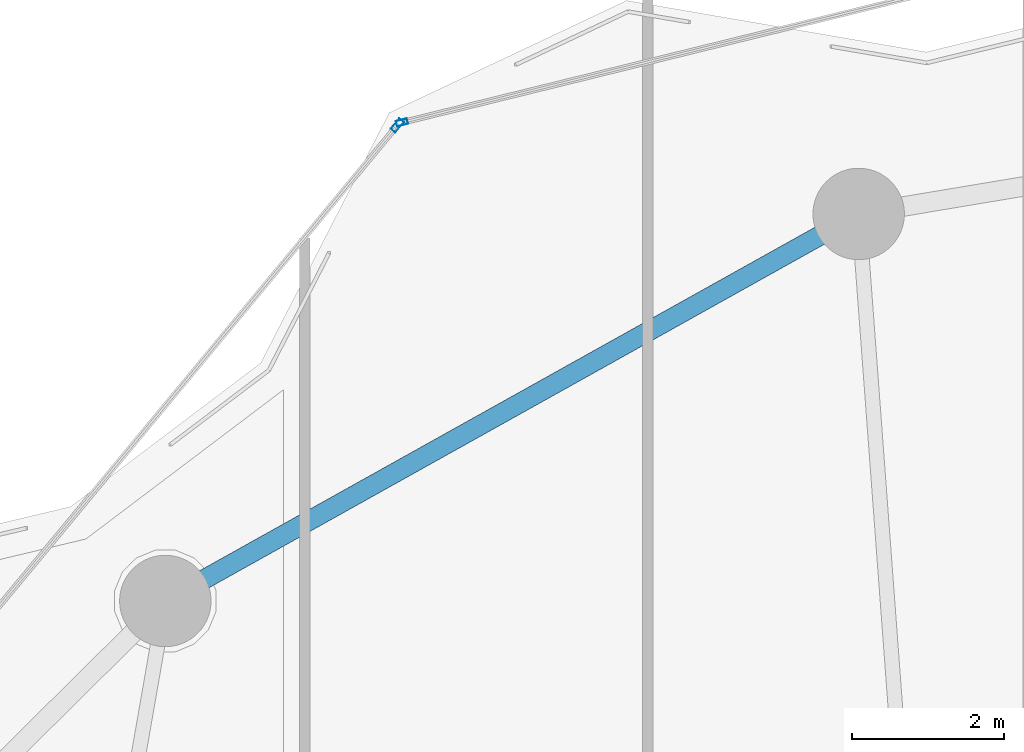
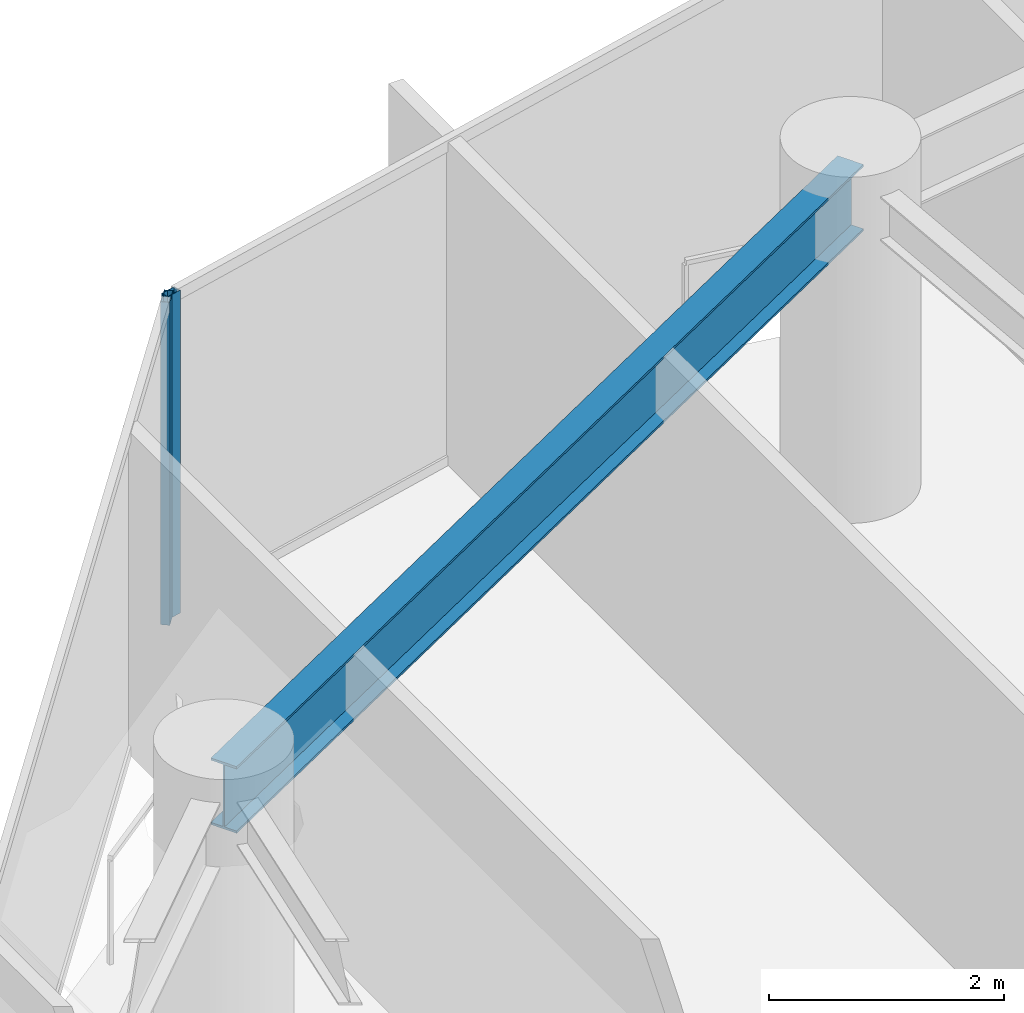
# One storey, part 17 of 28: 2 members, 1 beam, 2 elements without a shape of their own.
"""IFC4 building model written with IfcOpenShell, lengths in metres."""

from ifc_helpers import new_model, si_unit, direction, frame, origin, origin_2d, place, context, subcontext, project, spatial, hollow_rectangle, i_section, extrude, material, layer, layer_set, material_profile, profile_set, type_object, element, aggregate, save


model = new_model("IFC4")

# Units and contexts
model_context = context("Model", 3, precision=1e-05, world=origin(), true_north=direction((0.0, 1.0)))
body_context = subcontext(model_context, "Body", "Model", "MODEL_VIEW")
ifc_project = project(units=[si_unit("LENGTHUNIT", "METRE"), si_unit("AREAUNIT", "SQUARE_METRE"), si_unit("VOLUMEUNIT", "CUBIC_METRE"), si_unit("PLANEANGLEUNIT", "RADIAN"), si_unit("MASSUNIT", "GRAM", prefix="KILO")], contexts=[model_context])

# Site, building, storey
site_placement = place(None, origin())
site = spatial("IfcSite", under=ifc_project, at=site_placement, CompositionType="ELEMENT")
building_placement = place(site_placement, origin())
building = spatial("IfcBuilding", under=site, at=building_placement, Name="Kazevale Care Tower and Concert Hall", CompositionType="ELEMENT")
storey_placement = place(building_placement, frame((0.0, 0.0, 135.0)))
storey = spatial("IfcBuildingStorey", under=building, at=storey_placement, Name="L35", CompositionType="ELEMENT", Elevation=135.0)

# Curtain wall, member
ifc_material_1 = material(Name="Aluminium 6063-T6 and Low-E Glass", Category="aluminium")
ifc_layer_1 = layer(ifc_material_1, 0.179931640625)
ifc_layer_set_1 = layer_set([ifc_layer_1], Name="Aluminium 6063-T6 and Low-E Glass")
curtain_wall_type_1 = type_object("IfcCurtainWallType", Name="Convex Checkerboard Finned Curtain Wall CW-2", PredefinedType="NOTDEFINED", material=ifc_layer_set_1)
curtain_wall_1_placement = place(storey_placement, origin())
curtain_wall_1 = element("IfcCurtainWall", 1, at=curtain_wall_1_placement, inside=storey, type_object=curtain_wall_type_1, Name="cw:L35:f14", PredefinedType="NOTDEFINED")
ifc_material_2 = material(Name="Aluminium 6063-T6", Category="aluminium")
ifc_material_profile_1 = material_profile(ifc_material_2, hollow_rectangle(XDim=0.080078125, YDim=0.179931640625, WallThickness=0.0048828125, at=origin_2d()), Name="ALU80x180x5")
ifc_profile_set_1 = profile_set([ifc_material_profile_1], Name="Aluminium 6063-T6")
member_type_1 = type_object("IfcMemberType", Name="CW-2 Mullion ALU80x180x5", PredefinedType="MULLION", material=ifc_profile_set_1)
member_1_placement = place(storey_placement, frame((28.214599609375, 60.8212890625, 0.0), z_axis=(0.0, 0.0, 1.0), x_axis=(-0.770049579196, 0.637984048061, 0.0)))
member_1 = element("IfcMember", 2, at=member_1_placement, type_object=member_type_1, Name="CW-2 mullion 2", PredefinedType="MULLION", context=body_context, shape_type="SweptSolid", body=[
    extrude(hollow_rectangle(XDim=0.080078125, YDim=0.179931640625, WallThickness=0.0048828125, at=origin_2d()), origin(), (0.0, 0.0, 1.0), 3.360107421875),
])
aggregate(curtain_wall_1, [member_1])

ifc_layer_2 = layer(ifc_material_1, 0.179931640625)
ifc_layer_set_2 = layer_set([ifc_layer_2], Name="Aluminium 6063-T6 and Low-E Glass")
curtain_wall_type_2 = type_object("IfcCurtainWallType", Name="Convex Recessed Sunroom Curtain Wall CW-3", PredefinedType="NOTDEFINED", material=ifc_layer_set_2)
curtain_wall_2_placement = place(storey_placement, origin())
curtain_wall_2 = element("IfcCurtainWall", 3, at=curtain_wall_2_placement, inside=storey, type_object=curtain_wall_type_2, Name="cw:L35:f15", PredefinedType="NOTDEFINED")
ifc_material_profile_2 = material_profile(ifc_material_2, hollow_rectangle(XDim=0.074951171875, YDim=0.14990234375, WallThickness=0.00390625, at=origin_2d()), Name="ALU75x150x4")
ifc_profile_set_2 = profile_set([ifc_material_profile_2], Name="Aluminium 6063-T6")
member_type_2 = type_object("IfcMemberType", Name="CW-3 Mullion ALU75x150x4", PredefinedType="MULLION", material=ifc_profile_set_2)
member_2_placement = place(storey_placement, frame((28.2763671875, 60.861083984375, 0.0), z_axis=(0.0, 0.0, 1.0), x_axis=(-0.239088999495, 0.970997657217, 0.0)))
member_2 = element("IfcMember", 4, at=member_2_placement, type_object=member_type_2, Name="CW-3 mullion 1", PredefinedType="MULLION", context=body_context, shape_type="SweptSolid", body=[
    extrude(hollow_rectangle(XDim=0.074951171875, YDim=0.14990234375, WallThickness=0.00390625, at=origin_2d()), origin(), (0.0, 0.0, 1.0), 3.360107421875),
])
aggregate(curtain_wall_2, [member_2])

# Beam
ifc_material_3 = material(Name="Steel ASTM A572 Gr 50", Category="steel")
ifc_material_profile_3 = material_profile(ifc_material_3, i_section(OverallWidth=0.256103515625, OverallDepth=0.693115234375, WebThickness=0.014404296875, FlangeThickness=0.023681640625, at=origin_2d()), Name="W690x170")
ifc_profile_set_3 = profile_set([ifc_material_profile_3], Name="Steel ASTM A572 Gr 50")
beam_type = type_object("IfcBeamType", Name="Waist Ring Beam W690x170", PredefinedType="BEAM", material=ifc_profile_set_3)
beam_placement = place(storey_placement, frame((34.27001953125, 59.659912109375, 3.013427734375), z_axis=(-0.873168720251, -0.487418081297, 0.0), x_axis=(0.487418081297, -0.873168720251, 0.0)))
element("IfcBeam", 5, at=beam_placement, inside=storey, type_object=beam_type, Name="beam:L35:ring:06", PredefinedType="BEAM", context=body_context, shape_type="SweptSolid", body=[
    extrude(i_section(OverallWidth=0.256103515625, OverallDepth=0.693115234375, WebThickness=0.014404296875, FlangeThickness=0.023681640625, at=origin_2d()), origin(), (0.0, 0.0, 1.0), 10.421875),
])

save(model, "model.ifc")
